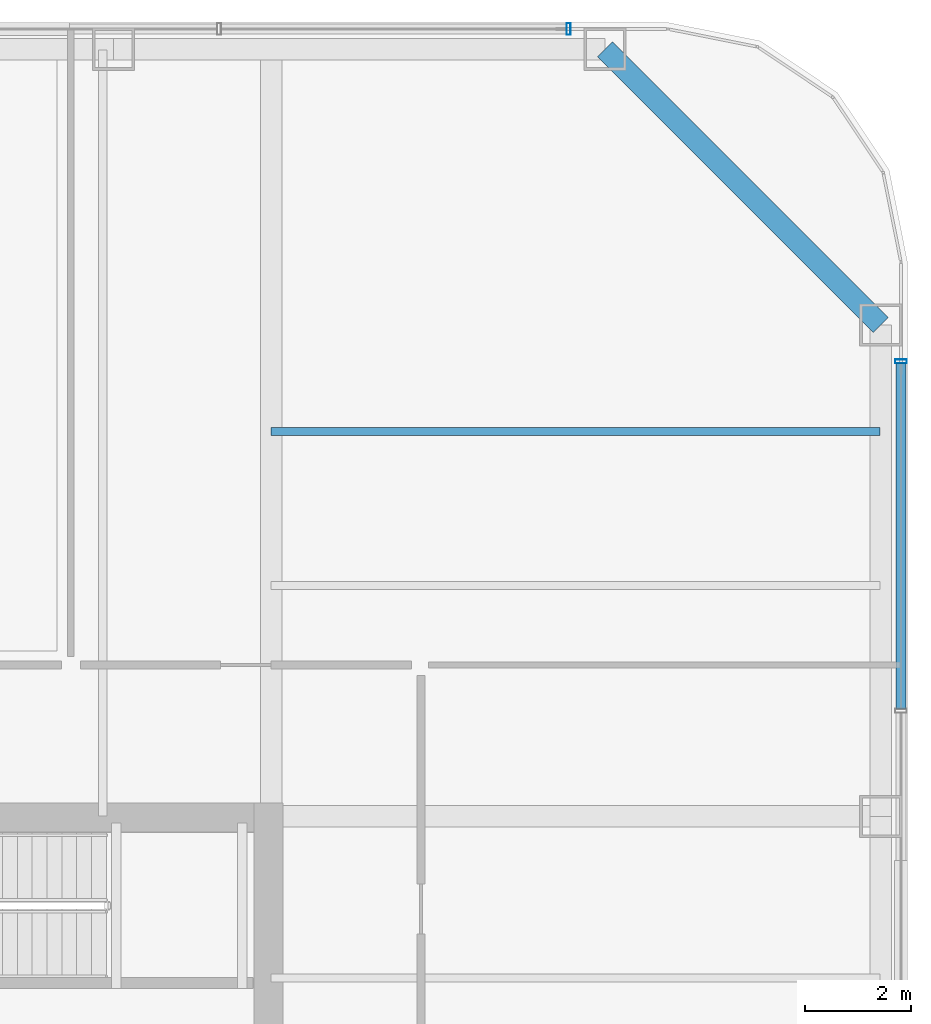
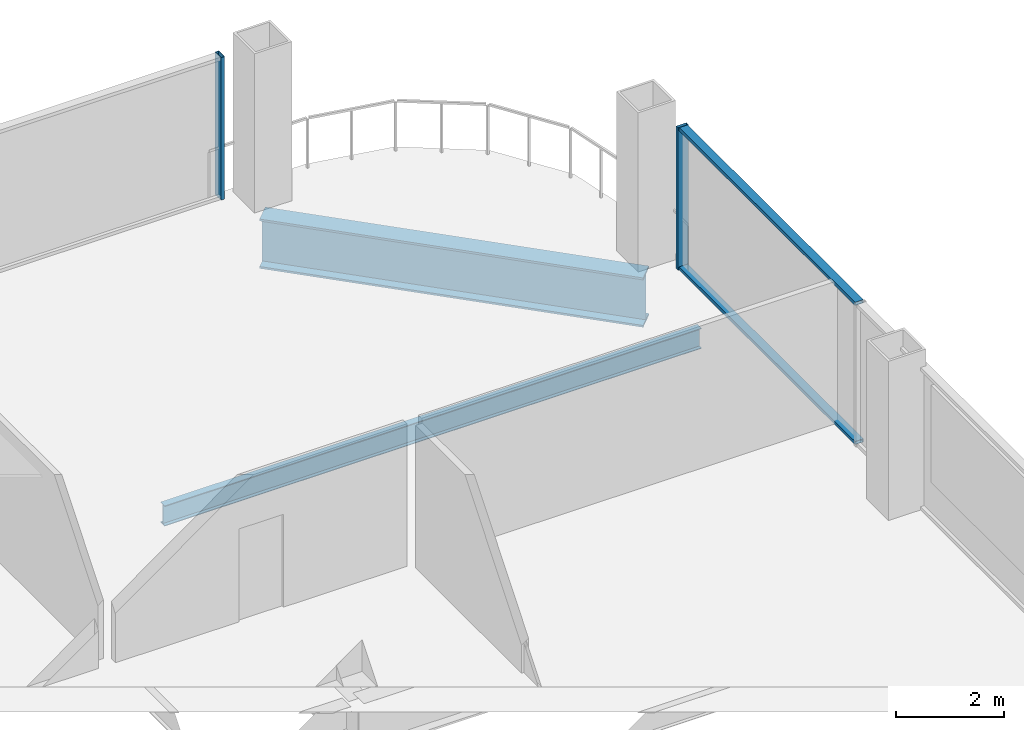
# One storey, part 14 of 20: 4 members, 2 beams, 2 elements without a shape of their own.
"""IFC4 building model written with IfcOpenShell, lengths in metres."""

from ifc_helpers import new_model, si_unit, direction, frame, origin, origin_2d, place, context, subcontext, project, spatial, hollow_rectangle, i_section, extrude, material, layer, layer_set, material_profile, profile_set, type_object, element, aggregate, save


model = new_model("IFC4")

# Units and contexts
model_context = context("Model", 3, precision=1e-05, world=origin(), true_north=direction((0.0, 1.0)))
body_context = subcontext(model_context, "Body", "Model", "MODEL_VIEW")
ifc_project = project(units=[si_unit("LENGTHUNIT", "METRE"), si_unit("AREAUNIT", "SQUARE_METRE"), si_unit("VOLUMEUNIT", "CUBIC_METRE"), si_unit("PLANEANGLEUNIT", "RADIAN"), si_unit("MASSUNIT", "GRAM", prefix="KILO")], contexts=[model_context])

# Site, building, storey
site_placement = place(None, origin())
site = spatial("IfcSite", under=ifc_project, at=site_placement, CompositionType="ELEMENT")
building_placement = place(site_placement, origin())
building = spatial("IfcBuilding", under=site, at=building_placement, Name="Qhalaya Broadcast Tower", CompositionType="ELEMENT")
storey_placement = place(building_placement, frame((0.0, 0.0, 104.85009765625)))
storey = spatial("IfcBuildingStorey", under=building, at=storey_placement, Name="L30", CompositionType="ELEMENT", Elevation=104.85009765625)

# Beams
ifc_material_1 = material(Name="Structural Steel ASTM A992 Grade 50", Category="steel")
ifc_material_profile_1 = material_profile(ifc_material_1, i_section(OverallWidth=0.154052734375, OverallDepth=0.458984375, WebThickness=0.009033203125, FlangeThickness=0.015380859375, at=origin_2d()), Name="W18X46")
ifc_profile_set_1 = profile_set([ifc_material_profile_1], Name="Structural Steel ASTM A992 Grade 50")
beam_type_1 = type_object("IfcBeamType", Name="Composite Floor Joist J04", PredefinedType="JOIST", material=ifc_profile_set_1)
beam_1_placement = place(storey_placement, frame((9.375, 17.199951171875, -0.609619140625), z_axis=(1.0, 0.0, 0.0), x_axis=(0.0, 1.0, 0.0)))
element("IfcBeam", 1, at=beam_1_placement, inside=storey, type_object=beam_type_1, Name="L30 J04 L30-JWE7E-1", PredefinedType="JOIST", context=body_context, shape_type="SweptSolid", body=[
    extrude(i_section(OverallWidth=0.154052734375, OverallDepth=0.458984375, WebThickness=0.009033203125, FlangeThickness=0.015380859375, at=origin_2d()), origin(), (0.0, 0.0, 1.0), 11.47509765625),
])
ifc_material_profile_2 = material_profile(ifc_material_1, i_section(OverallWidth=0.404052734375, OverallDepth=1.117919921875, WebThickness=0.026123046875, FlangeThickness=0.044921875, at=origin_2d()), Name="W44X335")
ifc_profile_set_2 = profile_set([ifc_material_profile_2], Name="Structural Steel ASTM A992 Grade 50")
beam_type_2 = type_object("IfcBeamType", Name="Podium Long-Span Primary Girder PG1", PredefinedType="USERDEFINED", material=ifc_profile_set_2)
beam_2_placement = place(storey_placement, frame((20.8701171875, 19.2099609375, -0.939208984375), z_axis=(-0.707123380132, 0.707090181851, 0.0), x_axis=(-0.707090181851, -0.707123380132, 0.0)))
element("IfcBeam", 2, at=beam_2_placement, inside=storey, type_object=beam_type_2, Name="L30 PG1 L30-SPR-08", ObjectType="GIRDER", PredefinedType="USERDEFINED", context=body_context, shape_type="SweptSolid", body=[
    extrude(i_section(OverallWidth=0.404052734375, OverallDepth=1.117919921875, WebThickness=0.026123046875, FlangeThickness=0.044921875, at=origin_2d()), origin(), (0.0, 0.0, 1.0), 7.35400390625),
])

# Curtain wall, member
ifc_material_2 = material(Name="Solar-Control Low-E Triple Glazing", Category="glass")
ifc_layer = layer(ifc_material_2, 0.219970703125, Name="Solar-Control Low-E Triple Glazing")
ifc_layer_set = layer_set([ifc_layer], Name="Solar-Control Low-E Triple Glazing")
curtain_wall_type = type_object("IfcCurtainWallType", Name="Recessed Sky-Garden Neck Ribbon Curtain Wall CW-05", PredefinedType="NOTDEFINED", material=ifc_layer_set)
curtain_wall_1_placement = place(storey_placement, origin())
curtain_wall_1 = element("IfcCurtainWall", 3, at=curtain_wall_1_placement, inside=storey, type_object=curtain_wall_type, Name="L30 Unitised Curtain Wall L30-CW-E", PredefinedType="NOTDEFINED")
ifc_material_3 = material(Name="Anodised Aluminium 6063-T6", Category="aluminium")
ifc_material_profile_3 = material_profile(ifc_material_3, hollow_rectangle(XDim=0.074951171875, YDim=0.219970703125, WallThickness=0.00390625, at=origin_2d()), Name="ALU-MUL 75x220x4")
ifc_profile_set_3 = profile_set([ifc_material_profile_3], Name="Anodised Aluminium 6063-T6")
member_type_1 = type_object("IfcMemberType", Name="Unitised Curtain-Wall Mullion M01", PredefinedType="MULLION", material=ifc_profile_set_3)
member_1_placement = place(storey_placement, frame((21.25, 18.5224609375, 0.0), z_axis=(0.0, 0.0, 1.0), x_axis=(0.0, 1.0, 0.0)))
member_1 = element("IfcMember", 4, at=member_1_placement, type_object=member_type_1, Name="CW-05 mullion 5", PredefinedType="MULLION", context=body_context, shape_type="SweptSolid", body=[
    extrude(hollow_rectangle(XDim=0.074951171875, YDim=0.219970703125, WallThickness=0.00390625, at=origin_2d()), origin(), (0.0, 0.0, 1.0), 3.219970703125),
])

curtain_wall_2_placement = place(storey_placement, origin())
curtain_wall_2 = element("IfcCurtainWall", 5, at=curtain_wall_2_placement, inside=storey, type_object=curtain_wall_type, Name="L30 Unitised Curtain Wall L30-CW-N", PredefinedType="NOTDEFINED")
member_2_placement = place(storey_placement, frame((14.982421875, 24.7900390625, 0.0), z_axis=(0.0, 0.0, 1.0), x_axis=(-1.0, 0.0, 0.0)))
member_2 = element("IfcMember", 6, at=member_2_placement, type_object=member_type_1, Name="CW-05 mullion 1", PredefinedType="MULLION", context=body_context, shape_type="SweptSolid", body=[
    extrude(hollow_rectangle(XDim=0.074951171875, YDim=0.219970703125, WallThickness=0.00390625, at=origin_2d()), origin(), (0.0, 0.0, 1.0), 3.219970703125),
])
aggregate(curtain_wall_2, [member_2])

# Member
ifc_material_profile_4 = material_profile(ifc_material_3, hollow_rectangle(XDim=0.074951171875, YDim=0.179931640625, WallThickness=0.00390625, at=origin_2d()), Name="ALU-TRN 75x180x4")
ifc_profile_set_4 = profile_set([ifc_material_profile_4], Name="Anodised Aluminium 6063-T6")
member_type_2 = type_object("IfcMemberType", Name="Unitised Curtain-Wall Transom T01", PredefinedType="USERDEFINED", material=ifc_profile_set_4)
member_3_placement = place(storey_placement, frame((21.25, 11.972412109375, 0.037353515625), z_axis=(0.0, 1.0, 0.0), x_axis=(0.0, 0.0, 1.0)))
member_3 = element("IfcMember", 7, at=member_3_placement, type_object=member_type_2, Name="CW-05 transom 4.1", ObjectType="TRANSOM", PredefinedType="USERDEFINED", context=body_context, shape_type="SweptSolid", body=[
    extrude(hollow_rectangle(XDim=0.074951171875, YDim=0.179931640625, WallThickness=0.00390625, at=origin_2d()), origin(), (0.0, 0.0, 1.0), 6.5126953125),
])

member_4_placement = place(storey_placement, frame((21.25, 11.972412109375, 3.182373046875), z_axis=(0.0, 1.0, 0.0), x_axis=(0.0, 0.0, 1.0)))
member_4 = element("IfcMember", 8, at=member_4_placement, type_object=member_type_2, Name="CW-05 transom 4.2", ObjectType="TRANSOM", PredefinedType="USERDEFINED", context=body_context, shape_type="SweptSolid", body=[
    extrude(hollow_rectangle(XDim=0.074951171875, YDim=0.179931640625, WallThickness=0.00390625, at=origin_2d()), origin(), (0.0, 0.0, 1.0), 6.5126953125),
])

aggregate(curtain_wall_1, [member_1, member_3, member_4])

save(model, "model.ifc")
